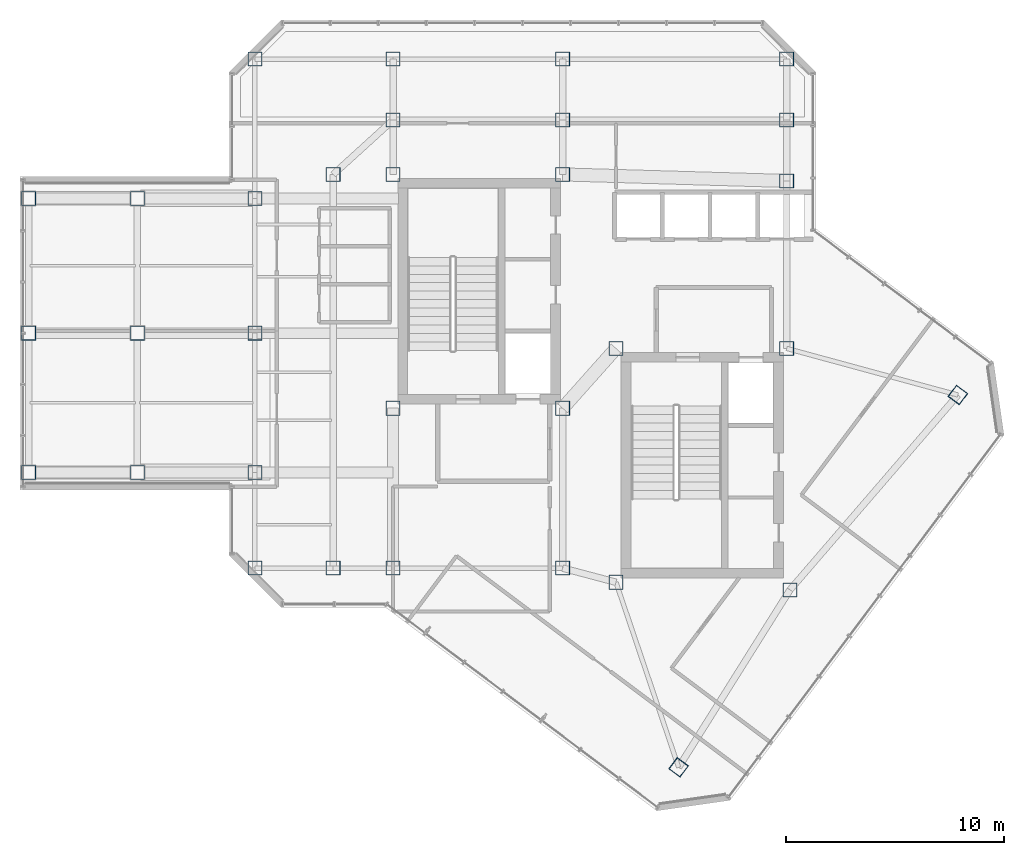
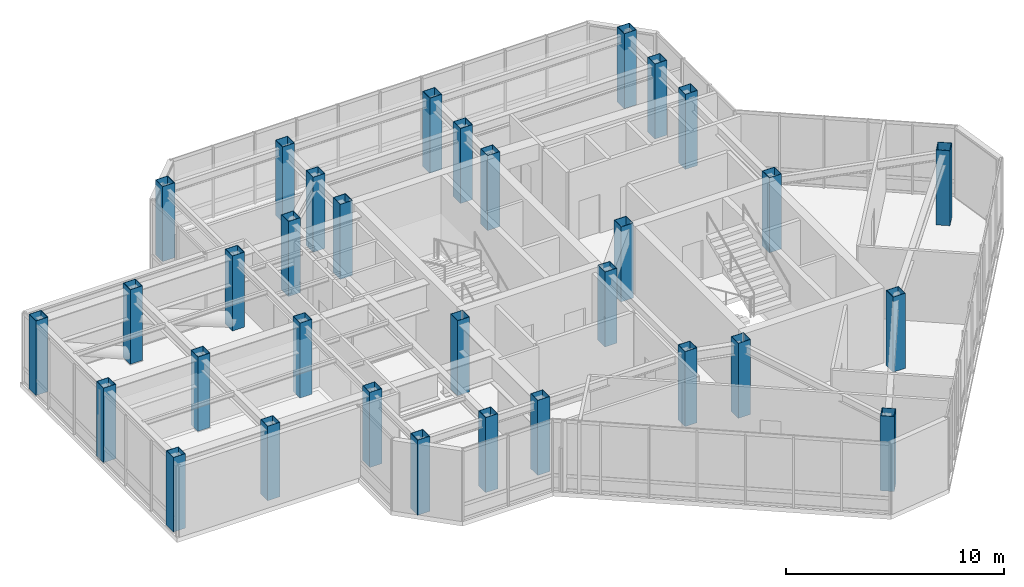
# One storey, part 1 of 22: 32 columns.
"""IFC4 building model written with IfcOpenShell, lengths in metres."""

from ifc_helpers import new_model, si_unit, direction, frame, origin, origin_2d, place, context, subcontext, project, spatial, hollow_rectangle, extrude, material, material_profile, profile_set, type_object, element, save


model = new_model("IFC4")

# Units and contexts
model_context = context("Model", 3, precision=1e-05, world=origin(), true_north=direction((0.0, 1.0)))
body_context = subcontext(model_context, "Body", "Model", "MODEL_VIEW")
ifc_project = project(units=[si_unit("LENGTHUNIT", "METRE"), si_unit("AREAUNIT", "SQUARE_METRE"), si_unit("VOLUMEUNIT", "CUBIC_METRE"), si_unit("PLANEANGLEUNIT", "RADIAN"), si_unit("MASSUNIT", "GRAM", prefix="KILO")], contexts=[model_context])

# Site, building, storey
site_placement = place(None, origin())
site = spatial("IfcSite", under=ifc_project, at=site_placement, CompositionType="ELEMENT")
building_placement = place(site_placement, origin())
building = spatial("IfcBuilding", under=site, at=building_placement, Name="Hatsunagi Terrace Concourse", CompositionType="ELEMENT")
storey_placement = place(building_placement, frame((0.0, 0.0, 257.550048828125)))
storey = spatial("IfcBuildingStorey", under=building, at=storey_placement, Name="L68", CompositionType="ELEMENT", Elevation=257.550048828125)

# Columns
ifc_material = material(Name="Steel BCP325T", Category="steel")
ifc_material_profile = material_profile(ifc_material, hollow_rectangle(XDim=0.64990234375, YDim=0.64990234375, WallThickness=0.02490234375, at=origin_2d()), Name="BCP-650x650x25")
ifc_profile_set = profile_set([ifc_material_profile], Name="Steel BCP325T")
column_type = type_object("IfcColumnType", Name="TowerBoxColumn_650x650x25", PredefinedType="COLUMN", material=ifc_profile_set)
for number, where, z_axis, x_axis, name in (
    (1, (25.550048828125, 32.550048828125, 0.0), (0.0, 0.0, 1.0), (1.0, 0.0, 0.0), "Column C-09 L68-CASW"),
    (2, (33.35009765625, 32.550048828125, 0.0), (0.0, 0.0, 1.0), (1.0, 0.0, 0.0), "Column C-09 L68-CASE"),
    (3, (25.550048828125, 43.300048828125, 0.0), (0.0, 0.0, 1.0), (1.0, 0.0, 0.0), "Column C-09 L68-CANW"),
    (4, (33.35009765625, 43.300048828125, 0.0), (0.0, 0.0, 1.0), (1.0, 0.0, 0.0), "Column C-09 L68-CANE"),
    (5, (35.800048828125, 24.550048828125, 0.0), (0.0, 0.0, 1.0), (1.0, 0.0, 0.0), "Column C-09 L68-CBSW"),
    (6, (43.800048828125, 24.199951171875, 0.0), (0.0, 0.0, 1.0), (1.0, 0.0, 0.0), "Column C-09 L68-CBSE"),
    (7, (35.800048828125, 35.300048828125, 0.0), (0.0, 0.0, 1.0), (1.0, 0.0, 0.0), "Column C-09 L68-CBNW"),
    (8, (43.64990234375, 35.300048828125, 0.0), (0.0, 0.0, 1.0), (1.0, 0.0, 0.0), "Column C-09 L68-CBNE"),
    (9, (25.550048828125, 25.199951171875, 0.0), (0.0, 0.0, 1.0), (1.0, 0.0, 0.0), "Column C-09 L68-K1"),
    (10, (33.35009765625, 25.199951171875, 0.0), (0.0, 0.0, 1.0), (1.0, 0.0, 0.0), "Column C-09 L68-K2"),
    (11, (43.64990234375, 43.0, 0.0), (0.0, 0.0, 1.0), (1.0, 0.0, 0.0), "Column C-09 L68-K3"),
    (12, (25.550048828125, 45.800048828125, 0.0), (0.0, 0.0, 1.0), (1.0, 0.0, 0.0), "Column C-09 L68-CN1"),
    (13, (33.35009765625, 45.800048828125, 0.0), (0.0, 0.0, 1.0), (1.0, 0.0, 0.0), "Column C-09 L68-CN2"),
    (14, (43.64990234375, 45.800048828125, 0.0), (0.0, 0.0, 1.0), (1.0, 0.0, 0.0), "Column C-09 L68-CN3"),
    (15, (19.199951171875, 48.60009765625, 0.0), (0.0, 0.0, 1.0), (1.0, 0.0, 0.0), "Column C-09 L68-WN3"),
    (16, (25.550048828125, 48.60009765625, 0.0), (0.0, 0.0, 1.0), (1.0, 0.0, 0.0), "Column C-09 L68-WN4"),
    (17, (33.35009765625, 48.60009765625, 0.0), (0.0, 0.0, 1.0), (1.0, 0.0, 0.0), "Column C-09 L68-WN5"),
    (18, (43.64990234375, 48.60009765625, 0.0), (0.0, 0.0, 1.0), (1.0, 0.0, 0.0), "Column C-09 L68-WN6"),
    (19, (19.199951171875, 25.199951171875, 0.0), (0.0, 0.0, 1.0), (1.0, 0.0, 0.0), "Column C-09 L68-WS3"),
    (20, (19.199951171875, 29.60009765625, 0.0), (0.0, 0.0, 1.0), (1.0, 0.0, 0.0), "Column C-09 L68-WR1"),
    (21, (19.199951171875, 42.199951171875, 0.0), (0.0, 0.0, 1.0), (1.0, 0.0, 0.0), "Column C-09 L68-WR2"),
    (22, (22.800048828125, 25.199951171875, 0.0), (0.0, 0.0, 1.0), (1.0, 0.0, 0.0), "Column C-09 L68-CW1"),
    (23, (22.800048828125, 43.300048828125, 0.0), (0.0, 0.0, 1.0), (1.0, 0.0, 0.0), "Column C-09 L68-CW2"),
    (24, (19.199951171875, 36.0, 0.0), (0.0, 0.0, 1.0), (1.0, 0.0, 0.0), "Column C-09 L68-WT2"),
):
    element("IfcColumn", number, at=place(storey_placement, frame(where, z_axis=z_axis, x_axis=x_axis)), inside=storey, type_object=column_type, Name=name, PredefinedType="COLUMN", context=body_context, shape_type="SweptSolid", body=[
        extrude(hollow_rectangle(XDim=0.64990234375, YDim=0.64990234375, WallThickness=0.02490234375, at=origin_2d()), origin(), (0.0, 0.0, 1.0), 4.199951171875),
    ])
for number, where, z_axis, x_axis, name in (
    (25, (13.800048828125, 29.60009765625, 0.031982421875), (0.0, 0.0, 1.0), (1.0, 0.0, 0.0), "Column C-09 L68-SLM1"),
    (26, (8.800048828125, 29.60009765625, 0.031982421875), (0.0, 0.0, 1.0), (1.0, 0.0, 0.0), "Column C-09 L68-SLO1"),
    (27, (13.800048828125, 36.0, 0.031982421875), (0.0, 0.0, 1.0), (1.0, 0.0, 0.0), "Column C-09 L68-SLM2"),
    (28, (8.800048828125, 36.0, 0.031982421875), (0.0, 0.0, 1.0), (1.0, 0.0, 0.0), "Column C-09 L68-SLO2"),
    (29, (13.800048828125, 42.199951171875, 0.031982421875), (0.0, 0.0, 1.0), (1.0, 0.0, 0.0), "Column C-09 L68-SLM3"),
    (30, (8.800048828125, 42.199951171875, 0.031982421875), (0.0, 0.0, 1.0), (1.0, 0.0, 0.0), "Column C-09 L68-SLO3"),
):
    element("IfcColumn", number, at=place(storey_placement, frame(where, z_axis=z_axis, x_axis=x_axis)), inside=storey, type_object=column_type, Name=name, PredefinedType="COLUMN", context=body_context, shape_type="SweptSolid", body=[
        extrude(hollow_rectangle(XDim=0.64990234375, YDim=0.64990234375, WallThickness=0.02490234375, at=origin_2d()), origin(), (0.0, 0.0, 1.0), 4.16796875),
    ])
for number, where, z_axis, x_axis, name in (
    (31, (38.679931640625, 16.0400390625, 0.0), (0.0, 0.0, 1.0), (0.799999996291, -0.600000004945, 0.0), "Column C-09 L68-SES1"),
    (32, (51.52001953125, 33.159912109375, 0.0), (0.0, 0.0, 1.0), (0.799999996291, -0.600000004945, 0.0), "Column C-09 L68-SEN1"),
):
    element("IfcColumn", number, at=place(storey_placement, frame(where, z_axis=z_axis, x_axis=x_axis)), inside=storey, type_object=column_type, Name=name, PredefinedType="COLUMN", context=body_context, shape_type="SweptSolid", body=[
        extrude(hollow_rectangle(XDim=0.64990234375, YDim=0.64990234375, WallThickness=0.02490234375, at=origin_2d()), origin(), (0.0, 0.0, 1.0), 4.199951171875),
    ])

save(model, "model.ifc")
